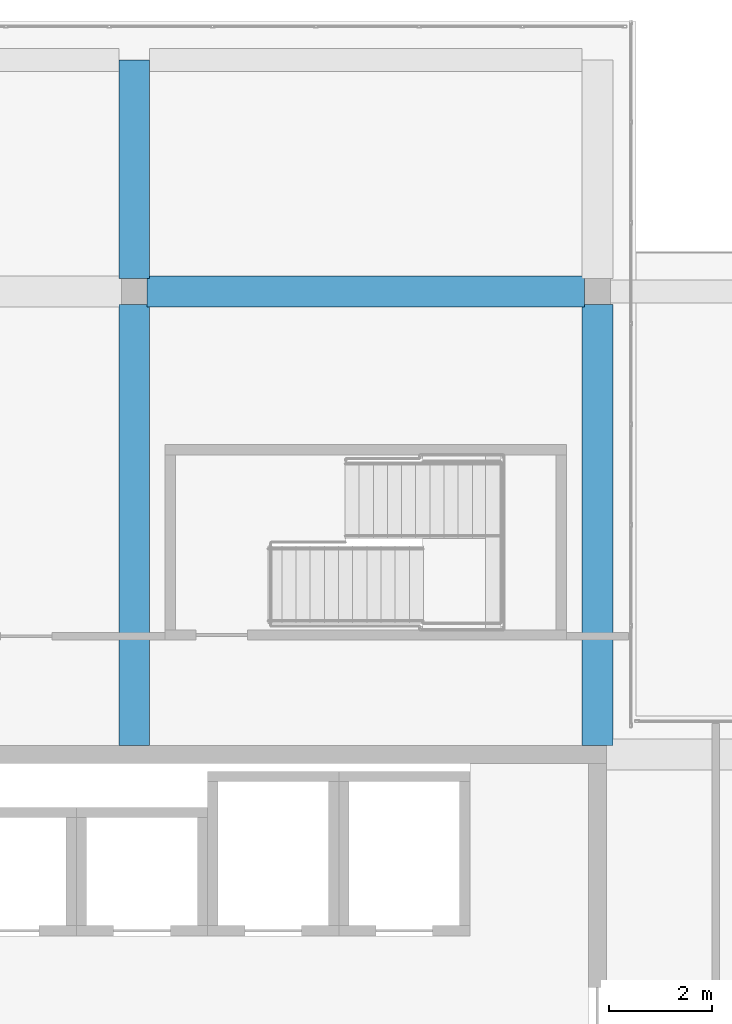
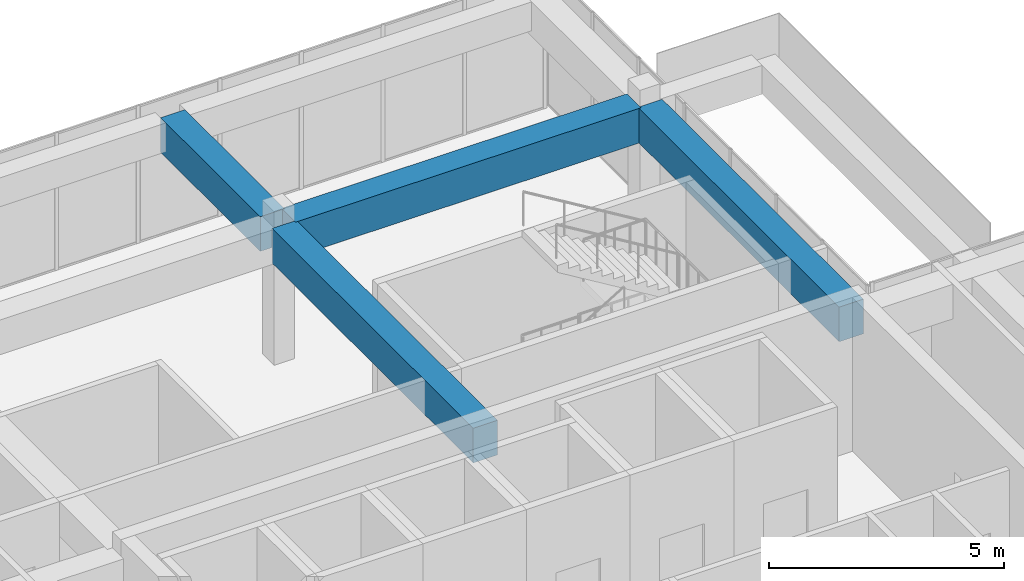
# One storey, part 25 of 36: 4 beams.
"""IFC4 building model written with IfcOpenShell, lengths in metres."""

from ifc_helpers import new_model, si_unit, direction, frame, origin, origin_2d, place, context, subcontext, project, spatial, rectangle, extrude, material, material_profile, profile_set, type_object, element, save


model = new_model("IFC4")

# Units and contexts
model_context = context("Model", 3, precision=1e-05, world=origin(), true_north=direction((0.0, 1.0)))
body_context = subcontext(model_context, "Body", "Model", "MODEL_VIEW")
ifc_project = project(units=[si_unit("LENGTHUNIT", "METRE"), si_unit("AREAUNIT", "SQUARE_METRE"), si_unit("VOLUMEUNIT", "CUBIC_METRE"), si_unit("PLANEANGLEUNIT", "RADIAN"), si_unit("MASSUNIT", "GRAM", prefix="KILO")], contexts=[model_context])

# Site, building, storey
site_placement = place(None, origin())
site = spatial("IfcSite", under=ifc_project, at=site_placement, CompositionType="ELEMENT")
building_placement = place(site_placement, origin())
building = spatial("IfcBuilding", under=site, at=building_placement, Name="Tuart Plaza Theatre", CompositionType="ELEMENT")
storey_placement = place(building_placement, frame((0.0, 0.0, 61.5)))
storey = spatial("IfcBuildingStorey", under=building, at=storey_placement, Name="L15", CompositionType="ELEMENT", Elevation=61.5)

# Beams
ifc_material = material(Name="Concrete N40 (40 MPa)", Category="concrete")
ifc_material_profile = material_profile(ifc_material, rectangle(XDim=0.60009765625, YDim=0.89990234375, at=origin_2d()), Name="BEAM 600x900 Concrete N40 (40 MPa)")
ifc_profile_set = profile_set([ifc_material_profile], Name="Concrete N40 (40 MPa)")
beam_type = type_object("IfcBeamType", Name="BEAM 600x900 Concrete N40 (40 MPa)", PredefinedType="BEAM", material=ifc_profile_set)
beam_1_placement = place(storey_placement, frame((132.0, 83.175048828125, 3.1298828125), z_axis=(0.0, 1.0, 0.0), x_axis=(-1.0, 0.0, 0.0)))
element("IfcBeam", 1, at=beam_1_placement, inside=storey, type_object=beam_type, Name="RB335", PredefinedType="BEAM", context=body_context, shape_type="SweptSolid", body=[
    extrude(rectangle(XDim=0.60009765625, YDim=0.89990234375, at=origin_2d()), origin(), (0.0, 0.0, 1.0), 8.574951171875),
])
beam_2_placement = place(storey_placement, frame((132.0, 92.25, 3.1298828125), z_axis=(0.0, 1.0, 0.0), x_axis=(-1.0, 0.0, 0.0)))
element("IfcBeam", 2, at=beam_2_placement, inside=storey, type_object=beam_type, Name="RB336", PredefinedType="BEAM", context=body_context, shape_type="SweptSolid", body=[
    extrude(rectangle(XDim=0.60009765625, YDim=0.89990234375, at=origin_2d()), origin(), (0.0, 0.0, 1.0), 4.25),
])
beam_3_placement = place(storey_placement, frame((132.25, 92.0, 3.1298828125), z_axis=(1.0, 0.0, 0.0), x_axis=(0.0, 1.0, 0.0)))
element("IfcBeam", 3, at=beam_3_placement, inside=storey, type_object=beam_type, Name="RB337", PredefinedType="BEAM", context=body_context, shape_type="SweptSolid", body=[
    extrude(rectangle(XDim=0.60009765625, YDim=0.89990234375, at=origin_2d()), origin(), (0.0, 0.0, 1.0), 8.5),
])
beam_4_placement = place(storey_placement, frame((141.0, 83.175048828125, 3.1298828125), z_axis=(0.0, 1.0, 0.0), x_axis=(-1.0, 0.0, 0.0)))
element("IfcBeam", 4, at=beam_4_placement, inside=storey, type_object=beam_type, Name="RB340", PredefinedType="BEAM", context=body_context, shape_type="SweptSolid", body=[
    extrude(rectangle(XDim=0.60009765625, YDim=0.89990234375, at=origin_2d()), origin(), (0.0, 0.0, 1.0), 8.574951171875),
])

save(model, "model.ifc")
